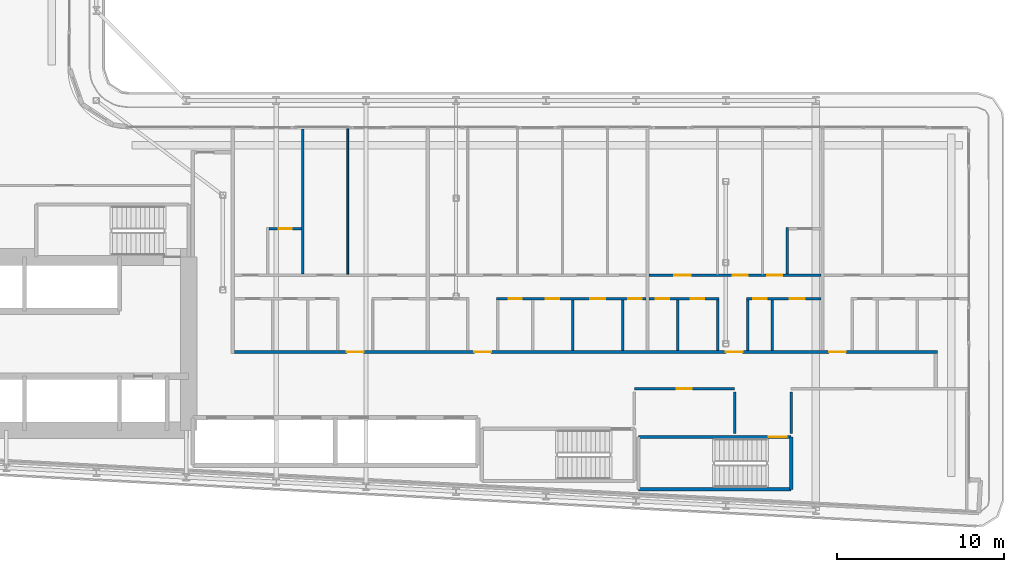
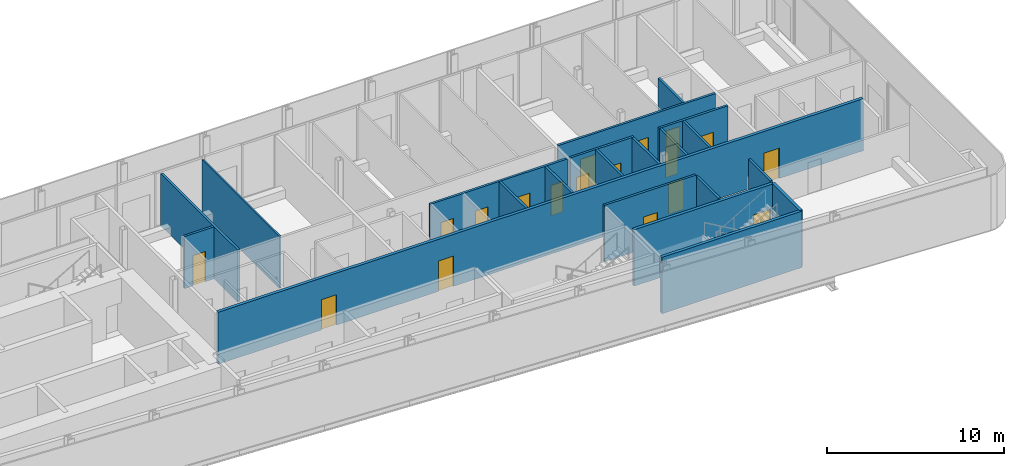
# One storey, part 15 of 28: 21 walls, 18 doors, 18 openings.
"""IFC4 building model written with IfcOpenShell, lengths in metres."""

from ifc_helpers import new_model, si_unit, direction, frame, frame_2d, origin, place, context, subcontext, project, spatial, rectangle, extrude, source, transform, mapped, material, layer, layer_set, type_object, element, fill, save


model = new_model("IFC4")

# Units and contexts
model_context = context("Model", 3, precision=1e-05, world=origin(), true_north=direction((0.0, 1.0)))
body_context = subcontext(model_context, "Body", "Model", "MODEL_VIEW")
ifc_project = project(units=[si_unit("LENGTHUNIT", "METRE"), si_unit("AREAUNIT", "SQUARE_METRE"), si_unit("VOLUMEUNIT", "CUBIC_METRE"), si_unit("PLANEANGLEUNIT", "RADIAN"), si_unit("MASSUNIT", "GRAM", prefix="KILO")], contexts=[model_context])

# Site, building, storey
site_placement = place(None, origin())
site = spatial("IfcSite", under=ifc_project, at=site_placement, CompositionType="ELEMENT")
building_placement = place(site_placement, origin())
building = spatial("IfcBuilding", under=site, at=building_placement, Name="Kheshtan School and Residences Tower", CompositionType="ELEMENT")
storey_placement = place(building_placement, frame((0.0, 0.0, 77.300048828125)))
storey = spatial("IfcBuildingStorey", under=building, at=storey_placement, Name="L18", CompositionType="ELEMENT", Elevation=77.300048828125)

# Wall, openings, doors
ifc_material_1 = material(Name="Gypsum board on steel studs with fire boards", Category="steel")
ifc_layer_1 = layer(ifc_material_1, 0.199951171875)
ifc_layer_set_1 = layer_set([ifc_layer_1], Name="Corridor wall 200")
wall_type_1 = type_object("IfcWallType", Name="Corridor wall 200", PredefinedType="PARTITIONING", material=ifc_layer_set_1)
wall_1_placement = place(storey_placement, frame((55.89990234375, 30.5, 0.0), z_axis=(0.0, 0.0, 1.0), x_axis=(1.0, 0.0, 0.0)))
wall_1 = element("IfcWall", 1, at=wall_1_placement, inside=storey, type_object=wall_type_1, Name="Partition L18-047", PredefinedType="PARTITIONING", context=body_context, shape_type="SweptSolid", body=[
    extrude(rectangle(XDim=42.2001953125, YDim=0.199951171875, at=frame_2d((21.10009765625, 0.0))), origin(), (0.0, 0.0, 1.0), 3.599853515625),
])
opening_1_placement = place(wall_1_placement, frame((6.75, 0.0, 0.0)))
opening_1 = element("IfcOpeningElement", 2, at=opening_1_placement, cuts=wall_1, Name="Opening D17-004", PredefinedType="OPENING", context=body_context, shape_type="SweptSolid", body=[
    extrude(rectangle(XDim=1.0, YDim=2.10009765625, at=frame_2d((0.5, 1.050048828125))), frame((0.0, 0.10986328125, 0.0), z_axis=(0.0, -1.0, 0.0), x_axis=(1.0, 0.0, 0.0)), (0.0, 0.0, 1.0), 0.219970703125),
])
opening_2_placement = place(wall_1_placement, frame((14.39990234375, 0.0, 0.0)))
opening_2 = element("IfcOpeningElement", 3, at=opening_2_placement, cuts=wall_1, Name="Opening D17-014", PredefinedType="OPENING", context=body_context, shape_type="SweptSolid", body=[
    extrude(rectangle(XDim=1.0, YDim=2.10009765625, at=frame_2d((0.5, 1.050048828125))), frame((0.0, 0.10986328125, 0.0), z_axis=(0.0, -1.0, 0.0), x_axis=(1.0, 0.0, 0.0)), (0.0, 0.0, 1.0), 0.219970703125),
])
opening_3_placement = place(wall_1_placement, frame((29.5, 0.0, 0.0)))
opening_3 = element("IfcOpeningElement", 4, at=opening_3_placement, cuts=wall_1, Name="Opening D17-024", PredefinedType="OPENING", context=body_context, shape_type="SweptSolid", body=[
    extrude(rectangle(XDim=1.0, YDim=2.10009765625, at=frame_2d((0.5, 1.050048828125))), frame((0.0, 0.10986328125, 0.0), z_axis=(0.0, -1.0, 0.0), x_axis=(1.0, 0.0, 0.0)), (0.0, 0.0, 1.0), 0.219970703125),
])
opening_4_placement = place(wall_1_placement, frame((35.699951171875, 0.0, 0.0)))
opening_4 = element("IfcOpeningElement", 5, at=opening_4_placement, cuts=wall_1, Name="Opening D17-032", PredefinedType="OPENING", context=body_context, shape_type="SweptSolid", body=[
    extrude(rectangle(XDim=1.0, YDim=2.10009765625, at=frame_2d((0.5, 1.050048828125))), frame((0.0, 0.10986328125, 0.0), z_axis=(0.0, -1.0, 0.0), x_axis=(1.0, 0.0, 0.0)), (0.0, 0.0, 1.0), 0.219970703125),
])
ifc_material_2 = material(Name="Steel-framed fire-resisting door leaf", Category="steel")
door_type_1 = type_object("IfcDoorType", Name="Fire door FD30S 1000 x 2100", OperationType="SINGLE_SWING_LEFT", PredefinedType="DOOR", material=ifc_material_2)
shared_shape_1 = source(origin(), body_context, "Body", "SweptSolid", [
    extrude(rectangle(XDim=1.0, YDim=2.10009765625, at=frame_2d((0.5, 1.050048828125))), frame((0.0, 0.02490234375, 0.0), z_axis=(0.0, -1.0, 0.0), x_axis=(1.0, 0.0, 0.0)), (0.0, 0.0, 1.0), 0.050048828125),
])
door_1_placement = place(opening_1_placement, origin())
door_1 = element("IfcDoor", 6, at=door_1_placement, inside=storey, type_object=door_type_1, Name="Door D17-004", OperationType="SINGLE_SWING_RIGHT", OverallHeight=2.10009765625, OverallWidth=1.0, PredefinedType="DOOR", context=body_context, shape_type="MappedRepresentation", body=[
    mapped(shared_shape_1, transform((0.0, 0.0, 0.0), x_axis=(1.0, 0.0, 0.0), y_axis=(0.0, 1.0, 0.0), z_axis=(0.0, 0.0, 1.0), scale=1.0)),
])
fill(opening_1, door_1)
door_2_placement = place(opening_2_placement, origin())
door_2 = element("IfcDoor", 7, at=door_2_placement, inside=storey, type_object=door_type_1, Name="Door D17-014", OperationType="SINGLE_SWING_RIGHT", OverallHeight=2.10009765625, OverallWidth=1.0, PredefinedType="DOOR", context=body_context, shape_type="MappedRepresentation", body=[
    mapped(shared_shape_1, transform((0.0, 0.0, 0.0), x_axis=(1.0, 0.0, 0.0), y_axis=(0.0, 1.0, 0.0), z_axis=(0.0, 0.0, 1.0), scale=1.0)),
])
fill(opening_2, door_2)
door_3_placement = place(opening_3_placement, origin())
door_3 = element("IfcDoor", 8, at=door_3_placement, inside=storey, type_object=door_type_1, Name="Door D17-024", OperationType="SINGLE_SWING_RIGHT", OverallHeight=2.10009765625, OverallWidth=1.0, PredefinedType="DOOR", context=body_context, shape_type="MappedRepresentation", body=[
    mapped(shared_shape_1, transform((0.0, 0.0, 0.0), x_axis=(1.0, 0.0, 0.0), y_axis=(0.0, 1.0, 0.0), z_axis=(0.0, 0.0, 1.0), scale=1.0)),
])
fill(opening_3, door_3)
door_4_placement = place(opening_4_placement, origin())
door_4 = element("IfcDoor", 9, at=door_4_placement, inside=storey, type_object=door_type_1, Name="Door D17-032", OperationType="SINGLE_SWING_LEFT", OverallHeight=2.10009765625, OverallWidth=1.0, PredefinedType="DOOR", context=body_context, shape_type="MappedRepresentation", body=[
    mapped(shared_shape_1, transform((0.0, 0.0, 0.0), x_axis=(1.0, 0.0, 0.0), y_axis=(0.0, 1.0, 0.0), z_axis=(0.0, 0.0, 1.0), scale=1.0)),
])
fill(opening_4, door_4)

# Wall
ifc_material_3 = material(Name="Gypsum board on steel studs", Category="steel")
ifc_layer_2 = layer(ifc_material_3, 0.10009765625)
ifc_layer_set_2 = layer_set([ifc_layer_2], Name="Gypsum partition 100")
wall_type_2 = type_object("IfcWallType", Name="Gypsum partition 100", PredefinedType="PARTITIONING", material=ifc_layer_set_2)
wall_2_placement = place(storey_placement, frame((62.699951171875, 35.175048828125, 0.0), z_axis=(0.0, 0.0, 1.0), x_axis=(0.0, 1.0, 0.0)))
element("IfcWall", 10, at=wall_2_placement, inside=storey, type_object=wall_type_2, Name="Partition L18-056", PredefinedType="PARTITIONING", context=body_context, shape_type="SweptSolid", body=[
    extrude(rectangle(XDim=8.724853515625, YDim=0.10009765625, at=frame_2d((4.3623046875, 0.0))), origin(), (0.0, 0.0, 1.0), 3.599853515625),
])

# Wall, opening, door
ifc_material_4 = material(Name="Fire-board shaft wall system")
ifc_layer_3 = layer(ifc_material_4, 0.14990234375)
ifc_layer_set_3 = layer_set([ifc_layer_3], Name="Service room wall 150")
wall_type_3 = type_object("IfcWallType", Name="Service room wall 150", PredefinedType="PARTITIONING", material=ifc_layer_set_3)
wall_3_placement = place(storey_placement, frame((79.909912109375, 28.300048828125, 0.0), z_axis=(0.0, 0.0, 1.0), x_axis=(1.0, 0.0, 0.0)))
wall_3 = element("IfcWall", 11, at=wall_3_placement, inside=storey, type_object=wall_type_3, Name="Service room wall", PredefinedType="PARTITIONING", context=body_context, shape_type="SweptSolid", body=[
    extrude(rectangle(XDim=6.010009765625, YDim=0.14990234375, at=frame_2d((3.0048828125, 0.0))), origin(), (0.0, 0.0, 1.0), 3.89990234375),
])
opening_5_placement = place(wall_3_placement, frame((2.554931640625, 0.0, 0.0)))
opening_5 = element("IfcOpeningElement", 12, at=opening_5_placement, cuts=wall_3, Name="Opening SR90", PredefinedType="OPENING", context=body_context, shape_type="SweptSolid", body=[
    extrude(rectangle(XDim=0.89990234375, YDim=2.199951171875, at=frame_2d((0.449951171875, 1.10009765625))), frame((0.0, 0.0849609375, 0.0), z_axis=(0.0, -1.0, 0.0), x_axis=(1.0, 0.0, 0.0)), (0.0, 0.0, 1.0), 0.169921875),
])
ifc_material_5 = material(Name="Steel door leaf, galvanised", Category="steel")
door_type_2 = type_object("IfcDoorType", Name="Service room door 900 steel 90 min", OperationType="SINGLE_SWING_LEFT", PredefinedType="DOOR", material=ifc_material_5)
shared_shape_2 = source(origin(), body_context, "Body", "SweptSolid", [
    extrude(rectangle(XDim=0.89990234375, YDim=2.199951171875, at=frame_2d((0.449951171875, 1.10009765625))), frame((0.0, 0.02490234375, 0.0), z_axis=(0.0, -1.0, 0.0), x_axis=(1.0, 0.0, 0.0)), (0.0, 0.0, 1.0), 0.050048828125),
])
door_5_placement = place(opening_5_placement, origin())
door_5 = element("IfcDoor", 13, at=door_5_placement, inside=storey, type_object=door_type_2, Name="Service room door", OperationType="SINGLE_SWING_LEFT", OverallHeight=2.199951171875, OverallWidth=0.89990234375, PredefinedType="DOOR", context=body_context, shape_type="MappedRepresentation", body=[
    mapped(shared_shape_2, transform((0.0, 0.0, 0.0), x_axis=(1.0, 0.0, 0.0), y_axis=(0.0, 1.0, 0.0), z_axis=(0.0, 0.0, 1.0), scale=1.0)),
])
fill(opening_5, door_5)

# Walls
for number, where, z_axis, x_axis, name in (
    (14, (85.919921875, 25.6201171875, 0.0), (0.0, 0.0, 1.0), (0.0, 1.0, 0.0), "Service room wall"),
    (15, (89.320068359375, 25.6201171875, 0.0), (0.0, 0.0, 1.0), (0.0, 1.0, 0.0), "Service room wall"),
):
    element("IfcWall", number, at=place(storey_placement, frame(where, z_axis=z_axis, x_axis=x_axis)), inside=storey, type_object=wall_type_3, Name=name, PredefinedType="PARTITIONING", context=body_context, shape_type="SweptSolid", body=[
        extrude(rectangle(XDim=2.48486328125, YDim=0.14990234375, at=frame_2d((1.242431640625, 0.0))), origin(), (0.0, 0.0, 1.0), 3.89990234375),
    ])
ifc_material_6 = material(Name="Concrete C40/50", Category="concrete")
ifc_layer_4 = layer(ifc_material_6, 0.199951171875)
ifc_layer_set_4 = layer_set([ifc_layer_4], Name="Stair enclosure wall 200 Concrete C40/50")
wall_type_4 = type_object("IfcWallType", Name="Stair enclosure wall 200 Concrete C40/50", PredefinedType="SHEAR", material=ifc_layer_set_4)
wall_4_placement = place(storey_placement, frame((80.159912109375, 22.25, 0.0), z_axis=(0.0, 0.0, 1.0), x_axis=(1.0, 0.0, 0.0)))
element("IfcWall", 16, at=wall_4_placement, inside=storey, type_object=wall_type_4, Name="Stair enclosure wall ST4", PredefinedType="SHEAR", context=body_context, shape_type="SweptSolid", body=[
    extrude(rectangle(XDim=9.16015625, YDim=0.199951171875, at=frame_2d((4.580078125, 0.0))), origin(), (0.0, 0.0, 1.0), 3.89990234375),
])

# Wall, opening, door
wall_5_placement = place(storey_placement, frame((80.159912109375, 25.39990234375, 0.0), z_axis=(0.0, 0.0, 1.0), x_axis=(1.0, 0.0, 0.0)))
wall_5 = element("IfcWall", 17, at=wall_5_placement, inside=storey, type_object=wall_type_4, Name="Stair enclosure wall ST4", PredefinedType="SHEAR", context=body_context, shape_type="SweptSolid", body=[
    extrude(rectangle(XDim=9.16015625, YDim=0.199951171875, at=frame_2d((4.580078125, 0.0))), origin(), (0.0, 0.0, 1.0), 3.89990234375),
])
opening_6_placement = place(wall_5_placement, frame((7.81005859375, 0.0, 0.0)))
opening_6 = element("IfcOpeningElement", 18, at=opening_6_placement, cuts=wall_5, Name="Opening ST4D", PredefinedType="OPENING", context=body_context, shape_type="SweptSolid", body=[
    extrude(rectangle(XDim=1.10009765625, YDim=2.199951171875, at=frame_2d((0.550048828125, 1.10009765625))), frame((0.0, 0.10986328125, 0.0), z_axis=(0.0, -1.0, 0.0), x_axis=(1.0, 0.0, 0.0)), (0.0, 0.0, 1.0), 0.219970703125),
])
door_type_3 = type_object("IfcDoorType", Name="Stair door 1100 steel 90 min", OperationType="SINGLE_SWING_LEFT", PredefinedType="DOOR", material=ifc_material_5)
shared_shape_3 = source(origin(), body_context, "Body", "SweptSolid", [
    extrude(rectangle(XDim=1.10009765625, YDim=2.199951171875, at=frame_2d((0.550048828125, 1.10009765625))), frame((0.0, 0.02490234375, 0.0), z_axis=(0.0, -1.0, 0.0), x_axis=(1.0, 0.0, 0.0)), (0.0, 0.0, 1.0), 0.050048828125),
])
door_6_placement = place(opening_6_placement, origin())
door_6 = element("IfcDoor", 19, at=door_6_placement, inside=storey, type_object=door_type_3, Name="Stair ST4 door", OperationType="SINGLE_SWING_LEFT", OverallHeight=2.199951171875, OverallWidth=1.10009765625, PredefinedType="DOOR", context=body_context, shape_type="MappedRepresentation", body=[
    mapped(shared_shape_3, transform((0.0, 0.0, 0.0), x_axis=(1.0, 0.0, 0.0), y_axis=(0.0, 1.0, 0.0), z_axis=(0.0, 0.0, 1.0), scale=1.0)),
])
fill(opening_6, door_6)

# Wall
wall_6_placement = place(storey_placement, frame((89.320068359375, 22.25, 0.0), z_axis=(0.0, 0.0, 1.0), x_axis=(0.0, 1.0, 0.0)))
element("IfcWall", 20, at=wall_6_placement, inside=storey, type_object=wall_type_4, Name="Stair enclosure wall ST4", PredefinedType="SHEAR", context=body_context, shape_type="SweptSolid", body=[
    extrude(rectangle(XDim=3.14990234375, YDim=0.199951171875, at=frame_2d((1.574951171875, 0.0))), origin(), (0.0, 0.0, 1.0), 3.89990234375),
])

# Wall, opening, door
ifc_material_7 = material(Name="Moisture-resistant gypsum board on steel studs", Category="steel")
ifc_layer_5 = layer(ifc_material_7, 0.14990234375)
ifc_layer_set_5 = layer_set([ifc_layer_5], Name="Wet-room partition 150")
wall_type_5 = type_object("IfcWallType", Name="Wet-room partition 150", PredefinedType="PARTITIONING", material=ifc_layer_set_5)
wall_7_placement = place(storey_placement, frame((57.97509765625, 37.89990234375, 0.0), z_axis=(0.0, 0.0, 1.0), x_axis=(1.0, 0.0, 0.0)))
wall_7 = element("IfcWall", 21, at=wall_7_placement, inside=storey, type_object=wall_type_5, Name="Partition L18-051", PredefinedType="PARTITIONING", context=body_context, shape_type="SweptSolid", body=[
    extrude(rectangle(XDim=1.949951171875, YDim=0.14990234375, at=frame_2d((0.97509765625, 0.0))), origin(), (0.0, 0.0, 1.0), 3.599853515625),
])
opening_7_placement = place(wall_7_placement, frame((0.574951171875, 0.0, 0.0)))
opening_7 = element("IfcOpeningElement", 22, at=opening_7_placement, cuts=wall_7, Name="Opening D17-003", PredefinedType="OPENING", context=body_context, shape_type="SweptSolid", body=[
    extrude(rectangle(XDim=0.800048828125, YDim=2.10009765625, at=frame_2d((0.39990234375, 1.050048828125))), frame((0.0, 0.0849609375, 0.0), z_axis=(0.0, -1.0, 0.0), x_axis=(1.0, 0.0, 0.0)), (0.0, 0.0, 1.0), 0.169921875),
])
ifc_material_8 = material(Name="Veneered timber door leaf", Category="wood")
door_type_4 = type_object("IfcDoorType", Name="Door 800 x 2100", OperationType="SINGLE_SWING_LEFT", PredefinedType="DOOR", material=ifc_material_8)
shared_shape_4 = source(origin(), body_context, "Body", "SweptSolid", [
    extrude(rectangle(XDim=0.800048828125, YDim=2.10009765625, at=frame_2d((0.39990234375, 1.050048828125))), frame((0.0, 0.02490234375, 0.0), z_axis=(0.0, -1.0, 0.0), x_axis=(1.0, 0.0, 0.0)), (0.0, 0.0, 1.0), 0.050048828125),
])
door_7_placement = place(opening_7_placement, origin())
door_7 = element("IfcDoor", 23, at=door_7_placement, inside=storey, type_object=door_type_4, Name="Door D17-003", OperationType="SINGLE_SWING_LEFT", OverallHeight=2.10009765625, OverallWidth=0.800048828125, PredefinedType="DOOR", context=body_context, shape_type="MappedRepresentation", body=[
    mapped(shared_shape_4, transform((0.0, 0.0, 0.0), x_axis=(1.0, 0.0, 0.0), y_axis=(0.0, 1.0, 0.0), z_axis=(0.0, 0.0, 1.0), scale=1.0)),
])
fill(opening_7, door_7)

# Wall
wall_8_placement = place(storey_placement, frame((60.0, 35.175048828125, 0.0), z_axis=(0.0, 0.0, 1.0), x_axis=(0.0, 1.0, 0.0)))
element("IfcWall", 24, at=wall_8_placement, inside=storey, type_object=wall_type_5, Name="Partition L18-053", PredefinedType="PARTITIONING", context=body_context, shape_type="SweptSolid", body=[
    extrude(rectangle(XDim=8.724853515625, YDim=0.14990234375, at=frame_2d((4.3623046875, 0.0))), origin(), (0.0, 0.0, 1.0), 3.599853515625),
])

# Wall, openings, doors
wall_9_placement = place(storey_placement, frame((71.625, 33.699951171875, 0.0), z_axis=(0.0, 0.0, 1.0), x_axis=(1.0, 0.0, 0.0)))
wall_9 = element("IfcWall", 25, at=wall_9_placement, inside=storey, type_object=wall_type_5, Name="Partition L18-064", PredefinedType="PARTITIONING", context=body_context, shape_type="SweptSolid", body=[
    extrude(rectangle(XDim=8.97509765625, YDim=0.14990234375, at=frame_2d((4.487548828125, 0.0))), origin(), (0.0, 0.0, 1.0), 3.599853515625),
])
opening_8_placement = place(wall_9_placement, frame((2.97509765625, 0.0, 0.0)))
opening_8 = element("IfcOpeningElement", 26, at=opening_8_placement, cuts=wall_9, Name="Opening D17-011", PredefinedType="OPENING", context=body_context, shape_type="SweptSolid", body=[
    extrude(rectangle(XDim=0.800048828125, YDim=2.10009765625, at=frame_2d((0.39990234375, 1.050048828125))), frame((0.0, 0.0849609375, 0.0), z_axis=(0.0, -1.0, 0.0), x_axis=(1.0, 0.0, 0.0)), (0.0, 0.0, 1.0), 0.169921875),
])
opening_9_placement = place(wall_9_placement, frame((5.625, 0.0, 0.0)))
opening_9 = element("IfcOpeningElement", 27, at=opening_9_placement, cuts=wall_9, Name="Opening D17-015", PredefinedType="OPENING", context=body_context, shape_type="SweptSolid", body=[
    extrude(rectangle(XDim=0.89990234375, YDim=2.10009765625, at=frame_2d((0.449951171875, 1.050048828125))), frame((0.0, 0.0849609375, 0.0), z_axis=(0.0, -1.0, 0.0), x_axis=(1.0, 0.0, 0.0)), (0.0, 0.0, 1.0), 0.169921875),
])
opening_10_placement = place(wall_9_placement, frame((0.72509765625, 0.0, 0.0)))
opening_10 = element("IfcOpeningElement", 28, at=opening_10_placement, cuts=wall_9, Name="Opening D17-016", PredefinedType="OPENING", context=body_context, shape_type="SweptSolid", body=[
    extrude(rectangle(XDim=0.800048828125, YDim=2.10009765625, at=frame_2d((0.39990234375, 1.050048828125))), frame((0.0, 0.0849609375, 0.0), z_axis=(0.0, -1.0, 0.0), x_axis=(1.0, 0.0, 0.0)), (0.0, 0.0, 1.0), 0.169921875),
])
opening_11_placement = place(wall_9_placement, frame((7.925048828125, 0.0, 0.0)))
opening_11 = element("IfcOpeningElement", 29, at=opening_11_placement, cuts=wall_9, Name="Opening D17-020", PredefinedType="OPENING", context=body_context, shape_type="SweptSolid", body=[
    extrude(rectangle(XDim=0.800048828125, YDim=2.10009765625, at=frame_2d((0.39990234375, 1.050048828125))), frame((0.0, 0.0849609375, 0.0), z_axis=(0.0, -1.0, 0.0), x_axis=(1.0, 0.0, 0.0)), (0.0, 0.0, 1.0), 0.169921875),
])
door_8_placement = place(opening_8_placement, origin())
door_8 = element("IfcDoor", 30, at=door_8_placement, inside=storey, type_object=door_type_4, Name="Door D17-011", OperationType="SINGLE_SWING_LEFT", OverallHeight=2.10009765625, OverallWidth=0.800048828125, PredefinedType="DOOR", context=body_context, shape_type="MappedRepresentation", body=[
    mapped(shared_shape_4, transform((0.0, 0.0, 0.0), x_axis=(1.0, 0.0, 0.0), y_axis=(0.0, 1.0, 0.0), z_axis=(0.0, 0.0, 1.0), scale=1.0)),
])
fill(opening_8, door_8)
door_9_placement = place(opening_10_placement, origin())
door_9 = element("IfcDoor", 31, at=door_9_placement, inside=storey, type_object=door_type_4, Name="Door D17-016", OperationType="SINGLE_SWING_RIGHT", OverallHeight=2.10009765625, OverallWidth=0.800048828125, PredefinedType="DOOR", context=body_context, shape_type="MappedRepresentation", body=[
    mapped(shared_shape_4, transform((0.0, 0.0, 0.0), x_axis=(1.0, 0.0, 0.0), y_axis=(0.0, 1.0, 0.0), z_axis=(0.0, 0.0, 1.0), scale=1.0)),
])
fill(opening_10, door_9)
door_10_placement = place(opening_11_placement, origin())
door_10 = element("IfcDoor", 32, at=door_10_placement, inside=storey, type_object=door_type_4, Name="Door D17-020", OperationType="SINGLE_SWING_RIGHT", OverallHeight=2.10009765625, OverallWidth=0.800048828125, PredefinedType="DOOR", context=body_context, shape_type="MappedRepresentation", body=[
    mapped(shared_shape_4, transform((0.0, 0.0, 0.0), x_axis=(1.0, 0.0, 0.0), y_axis=(0.0, 1.0, 0.0), z_axis=(0.0, 0.0, 1.0), scale=1.0)),
])
fill(opening_11, door_10)
door_type_5 = type_object("IfcDoorType", Name="Door 900 x 2100", OperationType="SINGLE_SWING_LEFT", PredefinedType="DOOR", material=ifc_material_8)
shared_shape_5 = source(origin(), body_context, "Body", "SweptSolid", [
    extrude(rectangle(XDim=0.89990234375, YDim=2.10009765625, at=frame_2d((0.449951171875, 1.050048828125))), frame((0.0, 0.02490234375, 0.0), z_axis=(0.0, -1.0, 0.0), x_axis=(1.0, 0.0, 0.0)), (0.0, 0.0, 1.0), 0.050048828125),
])
door_11_placement = place(opening_9_placement, origin())
door_11 = element("IfcDoor", 33, at=door_11_placement, inside=storey, type_object=door_type_5, Name="Door D17-015", OperationType="SINGLE_SWING_LEFT", OverallHeight=2.10009765625, OverallWidth=0.89990234375, PredefinedType="DOOR", context=body_context, shape_type="MappedRepresentation", body=[
    mapped(shared_shape_5, transform((0.0, 0.0, 0.0), x_axis=(1.0, 0.0, 0.0), y_axis=(0.0, 1.0, 0.0), z_axis=(0.0, 0.0, 1.0), scale=1.0)),
])
fill(opening_9, door_11)

# Walls
for number, where, z_axis, x_axis, name in (
    (34, (76.199951171875, 30.60009765625, 0.0), (0.0, 0.0, 1.0), (0.0, 1.0, 0.0), "Partition L18-069"),
    (35, (79.199951171875, 30.60009765625, 0.0), (0.0, 0.0, 1.0), (0.0, 1.0, 0.0), "Partition L18-071"),
):
    element("IfcWall", number, at=place(storey_placement, frame(where, z_axis=z_axis, x_axis=x_axis)), inside=storey, type_object=wall_type_5, Name=name, PredefinedType="PARTITIONING", context=body_context, shape_type="SweptSolid", body=[
        extrude(rectangle(XDim=3.02490234375, YDim=0.14990234375, at=frame_2d((1.512451171875, 0.0))), origin(), (0.0, 0.0, 1.0), 3.599853515625),
    ])

# Wall, openings, doors
wall_10_placement = place(storey_placement, frame((80.800048828125, 33.699951171875, 0.0), z_axis=(0.0, 0.0, 1.0), x_axis=(1.0, 0.0, 0.0)))
wall_10 = element("IfcWall", 36, at=wall_10_placement, inside=storey, type_object=wall_type_5, Name="Partition L18-073", PredefinedType="PARTITIONING", context=body_context, shape_type="SweptSolid", body=[
    extrude(rectangle(XDim=4.175048828125, YDim=0.14990234375, at=frame_2d((2.08740234375, 0.0))), origin(), (0.0, 0.0, 1.0), 3.599853515625),
])
opening_12_placement = place(wall_10_placement, frame((2.5, 0.0, 0.0)))
opening_12 = element("IfcOpeningElement", 37, at=opening_12_placement, cuts=wall_10, Name="Opening D17-021", PredefinedType="OPENING", context=body_context, shape_type="SweptSolid", body=[
    extrude(rectangle(XDim=0.800048828125, YDim=2.10009765625, at=frame_2d((0.39990234375, 1.050048828125))), frame((0.0, 0.0849609375, 0.0), z_axis=(0.0, -1.0, 0.0), x_axis=(1.0, 0.0, 0.0)), (0.0, 0.0, 1.0), 0.169921875),
])
opening_13_placement = place(wall_10_placement, frame((0.39990234375, 0.0, 0.0)))
opening_13 = element("IfcOpeningElement", 38, at=opening_13_placement, cuts=wall_10, Name="Opening D17-028", PredefinedType="OPENING", context=body_context, shape_type="SweptSolid", body=[
    extrude(rectangle(XDim=0.800048828125, YDim=2.10009765625, at=frame_2d((0.39990234375, 1.050048828125))), frame((0.0, 0.0849609375, 0.0), z_axis=(0.0, -1.0, 0.0), x_axis=(1.0, 0.0, 0.0)), (0.0, 0.0, 1.0), 0.169921875),
])
door_12_placement = place(opening_12_placement, origin())
door_12 = element("IfcDoor", 39, at=door_12_placement, inside=storey, type_object=door_type_4, Name="Door D17-021", OperationType="SINGLE_SWING_RIGHT", OverallHeight=2.10009765625, OverallWidth=0.800048828125, PredefinedType="DOOR", context=body_context, shape_type="MappedRepresentation", body=[
    mapped(shared_shape_4, transform((0.0, 0.0, 0.0), x_axis=(1.0, 0.0, 0.0), y_axis=(0.0, 1.0, 0.0), z_axis=(0.0, 0.0, 1.0), scale=1.0)),
])
fill(opening_12, door_12)
door_13_placement = place(opening_13_placement, origin())
door_13 = element("IfcDoor", 40, at=door_13_placement, inside=storey, type_object=door_type_4, Name="Door D17-028", OperationType="SINGLE_SWING_LEFT", OverallHeight=2.10009765625, OverallWidth=0.800048828125, PredefinedType="DOOR", context=body_context, shape_type="MappedRepresentation", body=[
    mapped(shared_shape_4, transform((0.0, 0.0, 0.0), x_axis=(1.0, 0.0, 0.0), y_axis=(0.0, 1.0, 0.0), z_axis=(0.0, 0.0, 1.0), scale=1.0)),
])
fill(opening_13, door_13)

wall_11_placement = place(storey_placement, frame((80.800048828125, 35.10009765625, 0.0), z_axis=(0.0, 0.0, 1.0), x_axis=(1.0, 0.0, 0.0)))
wall_11 = element("IfcWall", 41, at=wall_11_placement, inside=storey, type_object=wall_type_5, Name="Partition L18-074", PredefinedType="PARTITIONING", context=body_context, shape_type="SweptSolid", body=[
    extrude(rectangle(XDim=10.300048828125, YDim=0.14990234375, at=frame_2d((5.14990234375, 0.0))), origin(), (0.0, 0.0, 1.0), 3.599853515625),
])
opening_14_placement = place(wall_11_placement, frame((5.0, 0.0, 0.0)))
opening_14 = element("IfcOpeningElement", 42, at=opening_14_placement, cuts=wall_11, Name="Opening D17-022", PredefinedType="OPENING", context=body_context, shape_type="SweptSolid", body=[
    extrude(rectangle(XDim=0.89990234375, YDim=2.10009765625, at=frame_2d((0.449951171875, 1.050048828125))), frame((0.0, 0.0849609375, 0.0), z_axis=(0.0, -1.0, 0.0), x_axis=(1.0, 0.0, 0.0)), (0.0, 0.0, 1.0), 0.169921875),
])
opening_15_placement = place(wall_11_placement, frame((1.5, 0.0, 0.0)))
opening_15 = element("IfcOpeningElement", 43, at=opening_15_placement, cuts=wall_11, Name="Opening D17-026", PredefinedType="OPENING", context=body_context, shape_type="SweptSolid", body=[
    extrude(rectangle(XDim=1.0, YDim=2.10009765625, at=frame_2d((0.5, 1.050048828125))), frame((0.0, 0.0849609375, 0.0), z_axis=(0.0, -1.0, 0.0), x_axis=(1.0, 0.0, 0.0)), (0.0, 0.0, 1.0), 0.169921875),
])
opening_16_placement = place(wall_11_placement, frame((7.10009765625, 0.0, 0.0)))
opening_16 = element("IfcOpeningElement", 44, at=opening_16_placement, cuts=wall_11, Name="Opening D17-027", PredefinedType="OPENING", context=body_context, shape_type="SweptSolid", body=[
    extrude(rectangle(XDim=0.89990234375, YDim=2.10009765625, at=frame_2d((0.449951171875, 1.050048828125))), frame((0.0, 0.0849609375, 0.0), z_axis=(0.0, -1.0, 0.0), x_axis=(1.0, 0.0, 0.0)), (0.0, 0.0, 1.0), 0.169921875),
])
door_type_6 = type_object("IfcDoorType", Name="Door 1000 x 2100", OperationType="SINGLE_SWING_LEFT", PredefinedType="DOOR", material=ifc_material_8)
shared_shape_6 = source(origin(), body_context, "Body", "SweptSolid", [
    extrude(rectangle(XDim=1.0, YDim=2.10009765625, at=frame_2d((0.5, 1.050048828125))), frame((0.0, 0.02490234375, 0.0), z_axis=(0.0, -1.0, 0.0), x_axis=(1.0, 0.0, 0.0)), (0.0, 0.0, 1.0), 0.050048828125),
])
door_14_placement = place(opening_15_placement, origin())
door_14 = element("IfcDoor", 45, at=door_14_placement, inside=storey, type_object=door_type_6, Name="Door D17-026", OperationType="SINGLE_SWING_RIGHT", OverallHeight=2.10009765625, OverallWidth=1.0, PredefinedType="DOOR", context=body_context, shape_type="MappedRepresentation", body=[
    mapped(shared_shape_6, transform((0.0, 0.0, 0.0), x_axis=(1.0, 0.0, 0.0), y_axis=(0.0, 1.0, 0.0), z_axis=(0.0, 0.0, 1.0), scale=1.0)),
])
fill(opening_15, door_14)
door_15_placement = place(opening_14_placement, origin())
door_15 = element("IfcDoor", 46, at=door_15_placement, inside=storey, type_object=door_type_5, Name="Door D17-022", OperationType="SINGLE_SWING_LEFT", OverallHeight=2.10009765625, OverallWidth=0.89990234375, PredefinedType="DOOR", context=body_context, shape_type="MappedRepresentation", body=[
    mapped(shared_shape_5, transform((0.0, 0.0, 0.0), x_axis=(1.0, 0.0, 0.0), y_axis=(0.0, 1.0, 0.0), z_axis=(0.0, 0.0, 1.0), scale=1.0)),
])
fill(opening_14, door_15)
door_16_placement = place(opening_16_placement, origin())
door_16 = element("IfcDoor", 47, at=door_16_placement, inside=storey, type_object=door_type_5, Name="Door D17-027", OperationType="SINGLE_SWING_RIGHT", OverallHeight=2.10009765625, OverallWidth=0.89990234375, PredefinedType="DOOR", context=body_context, shape_type="MappedRepresentation", body=[
    mapped(shared_shape_5, transform((0.0, 0.0, 0.0), x_axis=(1.0, 0.0, 0.0), y_axis=(0.0, 1.0, 0.0), z_axis=(0.0, 0.0, 1.0), scale=1.0)),
])
fill(opening_16, door_16)

# Walls
for number, where, z_axis, x_axis, name in (
    (48, (82.5, 30.60009765625, 0.0), (0.0, 0.0, 1.0), (0.0, 1.0, 0.0), "Partition L18-075"),
    (49, (84.89990234375, 30.60009765625, 0.0), (0.0, 0.0, 1.0), (0.0, 1.0, 0.0), "Partition L18-076"),
):
    element("IfcWall", number, at=place(storey_placement, frame(where, z_axis=z_axis, x_axis=x_axis)), inside=storey, type_object=wall_type_5, Name=name, PredefinedType="PARTITIONING", context=body_context, shape_type="SweptSolid", body=[
        extrude(rectangle(XDim=3.02490234375, YDim=0.14990234375, at=frame_2d((1.512451171875, 0.0))), origin(), (0.0, 0.0, 1.0), 3.599853515625),
    ])

# Wall, openings, doors
wall_12_placement = place(storey_placement, frame((86.625, 33.699951171875, 0.0), z_axis=(0.0, 0.0, 1.0), x_axis=(1.0, 0.0, 0.0)))
wall_12 = element("IfcWall", 50, at=wall_12_placement, inside=storey, type_object=wall_type_5, Name="Partition L18-078", PredefinedType="PARTITIONING", context=body_context, shape_type="SweptSolid", body=[
    extrude(rectangle(XDim=4.47509765625, YDim=0.14990234375, at=frame_2d((2.237548828125, 0.0))), origin(), (0.0, 0.0, 1.0), 3.599853515625),
])
opening_17_placement = place(wall_12_placement, frame((2.625, 0.0, 0.0)))
opening_17 = element("IfcOpeningElement", 51, at=opening_17_placement, cuts=wall_12, Name="Opening D17-025", PredefinedType="OPENING", context=body_context, shape_type="SweptSolid", body=[
    extrude(rectangle(XDim=0.89990234375, YDim=2.10009765625, at=frame_2d((0.449951171875, 1.050048828125))), frame((0.0, 0.0849609375, 0.0), z_axis=(0.0, -1.0, 0.0), x_axis=(1.0, 0.0, 0.0)), (0.0, 0.0, 1.0), 0.169921875),
])
opening_18_placement = place(wall_12_placement, frame((0.425048828125, 0.0, 0.0)))
opening_18 = element("IfcOpeningElement", 52, at=opening_18_placement, cuts=wall_12, Name="Opening D17-029", PredefinedType="OPENING", context=body_context, shape_type="SweptSolid", body=[
    extrude(rectangle(XDim=0.800048828125, YDim=2.10009765625, at=frame_2d((0.39990234375, 1.050048828125))), frame((0.0, 0.0849609375, 0.0), z_axis=(0.0, -1.0, 0.0), x_axis=(1.0, 0.0, 0.0)), (0.0, 0.0, 1.0), 0.169921875),
])
door_17_placement = place(opening_18_placement, origin())
door_17 = element("IfcDoor", 53, at=door_17_placement, inside=storey, type_object=door_type_4, Name="Door D17-029", OperationType="SINGLE_SWING_LEFT", OverallHeight=2.10009765625, OverallWidth=0.800048828125, PredefinedType="DOOR", context=body_context, shape_type="MappedRepresentation", body=[
    mapped(shared_shape_4, transform((0.0, 0.0, 0.0), x_axis=(1.0, 0.0, 0.0), y_axis=(0.0, 1.0, 0.0), z_axis=(0.0, 0.0, 1.0), scale=1.0)),
])
fill(opening_18, door_17)
door_18_placement = place(opening_17_placement, origin())
door_18 = element("IfcDoor", 54, at=door_18_placement, inside=storey, type_object=door_type_5, Name="Door D17-025", OperationType="SINGLE_SWING_LEFT", OverallHeight=2.10009765625, OverallWidth=0.89990234375, PredefinedType="DOOR", context=body_context, shape_type="MappedRepresentation", body=[
    mapped(shared_shape_5, transform((0.0, 0.0, 0.0), x_axis=(1.0, 0.0, 0.0), y_axis=(0.0, 1.0, 0.0), z_axis=(0.0, 0.0, 1.0), scale=1.0)),
])
fill(opening_17, door_18)

# Walls
for number, where, z_axis, x_axis, name in (
    (55, (86.699951171875, 30.60009765625, 0.0), (0.0, 0.0, 1.0), (0.0, 1.0, 0.0), "Partition L18-079"),
    (56, (88.199951171875, 30.60009765625, 0.0), (0.0, 0.0, 1.0), (0.0, 1.0, 0.0), "Partition L18-081"),
):
    element("IfcWall", number, at=place(storey_placement, frame(where, z_axis=z_axis, x_axis=x_axis)), inside=storey, type_object=wall_type_5, Name=name, PredefinedType="PARTITIONING", context=body_context, shape_type="SweptSolid", body=[
        extrude(rectangle(XDim=3.02490234375, YDim=0.14990234375, at=frame_2d((1.512451171875, 0.0))), origin(), (0.0, 0.0, 1.0), 3.599853515625),
    ])
wall_13_placement = place(storey_placement, frame((89.10009765625, 35.175048828125, 0.0), z_axis=(0.0, 0.0, 1.0), x_axis=(0.0, 1.0, 0.0)))
element("IfcWall", 57, at=wall_13_placement, inside=storey, type_object=wall_type_5, Name="Partition L18-082", PredefinedType="PARTITIONING", context=body_context, shape_type="SweptSolid", body=[
    extrude(rectangle(XDim=2.800048828125, YDim=0.14990234375, at=frame_2d((1.39990234375, 0.0))), origin(), (0.0, 0.0, 1.0), 3.599853515625),
])

save(model, "model.ifc")
